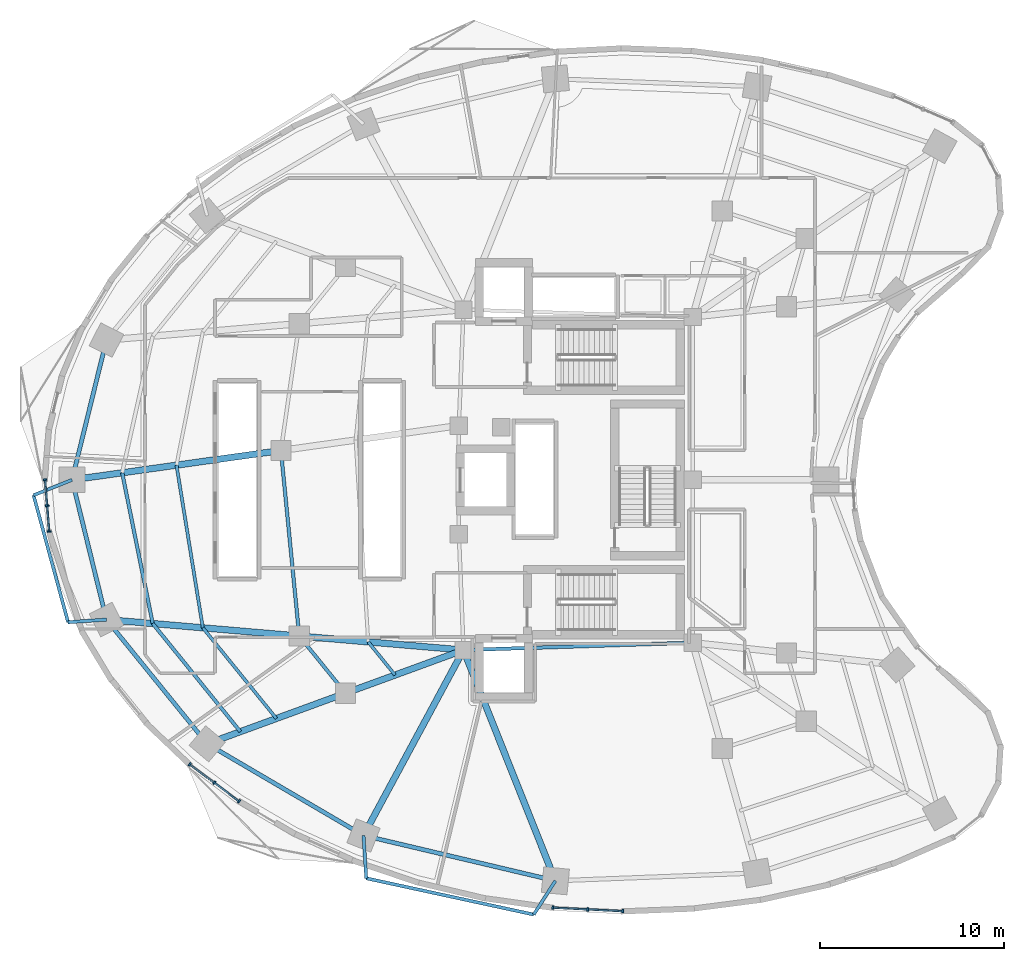
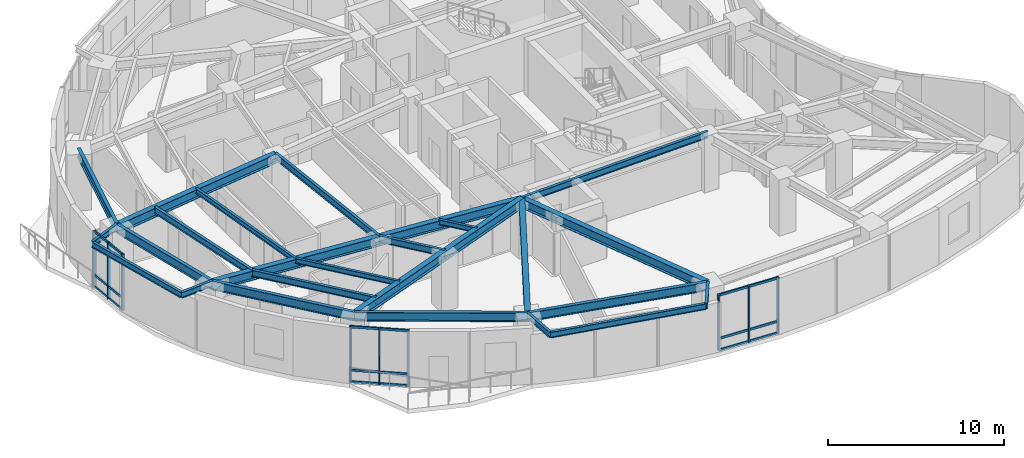
# One storey, part 2 of 15: 27 members, 26 beams, 3 elements without a shape of their own.
"""IFC4 building model written with IfcOpenShell, lengths in metres."""

from ifc_helpers import new_model, si_unit, direction, frame, origin, origin_2d, place, context, subcontext, project, spatial, rectangle, i_section, extrude, material, layer, layer_set, material_profile, profile_set, type_object, element, aggregate, save


model = new_model("IFC4")

# Units and contexts
model_context = context("Model", 3, precision=1e-05, world=origin(), true_north=direction((0.0, 1.0)))
body_context = subcontext(model_context, "Body", "Model", "MODEL_VIEW")
ifc_project = project(units=[si_unit("LENGTHUNIT", "METRE"), si_unit("AREAUNIT", "SQUARE_METRE"), si_unit("VOLUMEUNIT", "CUBIC_METRE"), si_unit("PLANEANGLEUNIT", "RADIAN"), si_unit("MASSUNIT", "GRAM", prefix="KILO")], contexts=[model_context])

# Site, building, storey
site_placement = place(None, origin())
site = spatial("IfcSite", under=ifc_project, at=site_placement, CompositionType="ELEMENT")
building_placement = place(site_placement, origin())
building = spatial("IfcBuilding", under=site, at=building_placement, Name="Korentha Bioscience Tower", CompositionType="ELEMENT")
storey_placement = place(building_placement, frame((0.0, 0.0, 34.199951171875)))
storey = spatial("IfcBuildingStorey", under=building, at=storey_placement, Name="L07", CompositionType="ELEMENT", Elevation=34.199951171875)

# Beams
ifc_material_1 = material(Name="Steel S355", Category="steel")
ifc_material_profile_1 = material_profile(ifc_material_1, i_section(OverallWidth=0.18994140625, OverallDepth=0.45703125, WebThickness=0.009033203125, FlangeThickness=0.014404296875, at=origin_2d()), Name="Steel S355")
ifc_profile_set_1 = profile_set([ifc_material_profile_1], Name="Steel S355 (MB-460)")
beam_type_1 = type_object("IfcBeamType", Name="Mid-Ring Tie Girder W460x74", PredefinedType="BEAM", material=ifc_profile_set_1)
beam_1_placement = place(storey_placement, frame((15.1787109375, 28.593505859375, 3.671630859375), z_axis=(0.098243909277, -0.995162365793, 0.0), x_axis=(0.995162365793, 0.098243909277, 0.0)))
element("IfcBeam", 1, at=beam_1_placement, inside=storey, type_object=beam_type_1, Name="L07 Mid-Ring Tie Girder 07", PredefinedType="BEAM", context=body_context, shape_type="SweptSolid", body=[
    extrude(i_section(OverallWidth=0.18994140625, OverallDepth=0.45703125, WebThickness=0.009033203125, FlangeThickness=0.014404296875, at=origin_2d()), origin(), (0.0, 0.0, 1.0), 10.131591796875),
])
beam_2_placement = place(storey_placement, frame((16.174072265625, 18.510986328125, 3.671630859375), z_axis=(0.629790009744, -0.776765436684, 0.0), x_axis=(0.776765436684, 0.629790009744, 0.0)))
element("IfcBeam", 2, at=beam_2_placement, inside=storey, type_object=beam_type_1, Name="L07 Mid-Ring Tie Girder 08", PredefinedType="BEAM", context=body_context, shape_type="SweptSolid", body=[
    extrude(i_section(OverallWidth=0.18994140625, OverallDepth=0.45703125, WebThickness=0.009033203125, FlangeThickness=0.014404296875, at=origin_2d()), origin(), (0.0, 0.0, 1.0), 3.998291015625),
])
beam_3_placement = place(storey_placement, frame((25.10009765625, 17.75, 3.671630859375), z_axis=(0.999484526071, 0.032104238723, 0.0), x_axis=(-0.032104238723, 0.999484526071, 0.0)))
element("IfcBeam", 3, at=beam_3_placement, inside=storey, type_object=beam_type_1, Name="L07 Core Ring Tie Girder 05", PredefinedType="BEAM", context=body_context, shape_type="SweptSolid", body=[
    extrude(i_section(OverallWidth=0.18994140625, OverallDepth=0.45703125, WebThickness=0.009033203125, FlangeThickness=0.014404296875, at=origin_2d()), origin(), (0.0, 0.0, 1.0), 12.456298828125),
])

# Curtain wall, members
ifc_material_2 = material(Name="Thermally Broken Aluminium Frame", Category="aluminium")
ifc_layer = layer(ifc_material_2, 0.219970703125, Name="Thermally Broken Aluminium Frame")
ifc_layer_set = layer_set([ifc_layer], Name="Thermally Broken Aluminium Frame (CW-T1)")
curtain_wall_type = type_object("IfcCurtainWallType", Name="Standard Bioscience Lab Unitised Curtain Wall CW-T1", PredefinedType="USERDEFINED", material=ifc_layer_set)
curtain_wall_1_placement = place(storey_placement, origin())
curtain_wall_1 = element("IfcCurtainWall", 4, at=curtain_wall_1_placement, inside=storey, type_object=curtain_wall_type, Name="L07 Curtain Wall 19", ObjectType="UNITISED", PredefinedType="USERDEFINED")
ifc_material_3 = material(Name="Anodised Aluminium 6063-T6", Category="aluminium")
ifc_material_profile_2 = material_profile(ifc_material_3, rectangle(XDim=0.090087890625, YDim=0.199951171875, at=origin_2d()), Name="Anodised Aluminium 6063-T6")
ifc_profile_set_2 = profile_set([ifc_material_profile_2], Name="Anodised Aluminium 6063-T6 (CW-MUL)")
member_type_1 = type_object("IfcMemberType", Name="Mullion RECT 90x200", PredefinedType="MULLION", material=ifc_profile_set_2)
member_1_placement = place(storey_placement, frame((2.35986328125, 27.0078125, 0.0), z_axis=(0.0, 0.0, 1.0), x_axis=(0.080820466375, -0.996728675325, 0.0)))
member_1 = element("IfcMember", 5, at=member_1_placement, type_object=member_type_1, Name="CW-L07-19 Mullion 1", PredefinedType="MULLION", context=body_context, shape_type="SweptSolid", body=[
    extrude(rectangle(XDim=0.090087890625, YDim=0.199951171875, at=origin_2d()), origin(), (0.0, 0.0, 1.0), 3.900146484375),
])
member_2_placement = place(storey_placement, frame((2.474365234375, 25.597412109375, 0.0), z_axis=(0.0, 0.0, 1.0), x_axis=(0.080820466375, -0.996728675325, 0.0)))
member_2 = element("IfcMember", 6, at=member_2_placement, type_object=member_type_1, Name="CW-L07-19 Mullion 2", PredefinedType="MULLION", context=body_context, shape_type="SweptSolid", body=[
    extrude(rectangle(XDim=0.090087890625, YDim=0.199951171875, at=origin_2d()), origin(), (0.0, 0.0, 1.0), 3.900146484375),
])
member_3_placement = place(storey_placement, frame((2.588623046875, 24.187255859375, 0.0), z_axis=(0.0, 0.0, 1.0), x_axis=(0.080820466375, -0.996728675325, 0.0)))
member_3 = element("IfcMember", 7, at=member_3_placement, type_object=member_type_1, Name="CW-L07-19 Mullion 3", PredefinedType="MULLION", context=body_context, shape_type="SweptSolid", body=[
    extrude(rectangle(XDim=0.090087890625, YDim=0.199951171875, at=origin_2d()), origin(), (0.0, 0.0, 1.0), 3.900146484375),
])

curtain_wall_2_placement = place(storey_placement, origin())
curtain_wall_2 = element("IfcCurtainWall", 8, at=curtain_wall_2_placement, inside=storey, type_object=curtain_wall_type, Name="L07 Curtain Wall 25", ObjectType="UNITISED", PredefinedType="USERDEFINED")
member_4_placement = place(storey_placement, frame((10.2216796875, 11.538818359375, 0.0), z_axis=(0.0, 0.0, 1.0), x_axis=(0.800797909614, -0.598934644145, 0.0)))
member_4 = element("IfcMember", 9, at=member_4_placement, type_object=member_type_1, Name="CW-L07-25 Mullion 1", PredefinedType="MULLION", context=body_context, shape_type="SweptSolid", body=[
    extrude(rectangle(XDim=0.090087890625, YDim=0.199951171875, at=origin_2d()), origin(), (0.0, 0.0, 1.0), 3.900146484375),
])
member_5_placement = place(storey_placement, frame((11.5634765625, 10.53515625, 0.0), z_axis=(0.0, 0.0, 1.0), x_axis=(0.800797909614, -0.598934644145, 0.0)))
member_5 = element("IfcMember", 10, at=member_5_placement, type_object=member_type_1, Name="CW-L07-25 Mullion 2", PredefinedType="MULLION", context=body_context, shape_type="SweptSolid", body=[
    extrude(rectangle(XDim=0.090087890625, YDim=0.199951171875, at=origin_2d()), origin(), (0.0, 0.0, 1.0), 3.900146484375),
])
member_6_placement = place(storey_placement, frame((12.9052734375, 9.53173828125, 0.0), z_axis=(0.0, 0.0, 1.0), x_axis=(0.800797909614, -0.598934644145, 0.0)))
member_6 = element("IfcMember", 11, at=member_6_placement, type_object=member_type_1, Name="CW-L07-25 Mullion 3", PredefinedType="MULLION", context=body_context, shape_type="SweptSolid", body=[
    extrude(rectangle(XDim=0.090087890625, YDim=0.199951171875, at=origin_2d()), origin(), (0.0, 0.0, 1.0), 3.900146484375),
])

curtain_wall_3_placement = place(storey_placement, origin())
curtain_wall_3 = element("IfcCurtainWall", 12, at=curtain_wall_3_placement, inside=storey, type_object=curtain_wall_type, Name="L07 Curtain Wall 31", ObjectType="UNITISED", PredefinedType="USERDEFINED")
member_7_placement = place(storey_placement, frame((29.9541015625, 3.75244140625, 0.0), z_axis=(0.0, 0.0, 1.0), x_axis=(0.998730551641, -0.050371472279, 0.0)))
member_7 = element("IfcMember", 13, at=member_7_placement, type_object=member_type_1, Name="CW-L07-31 Mullion 1", PredefinedType="MULLION", context=body_context, shape_type="SweptSolid", body=[
    extrude(rectangle(XDim=0.090087890625, YDim=0.199951171875, at=origin_2d()), origin(), (0.0, 0.0, 1.0), 3.900146484375),
])
member_8_placement = place(storey_placement, frame((31.855224609375, 3.656494140625, 0.0), z_axis=(0.0, 0.0, 1.0), x_axis=(0.998730551641, -0.050371472279, 0.0)))
member_8 = element("IfcMember", 14, at=member_8_placement, type_object=member_type_1, Name="CW-L07-31 Mullion 2", PredefinedType="MULLION", context=body_context, shape_type="SweptSolid", body=[
    extrude(rectangle(XDim=0.090087890625, YDim=0.199951171875, at=origin_2d()), origin(), (0.0, 0.0, 1.0), 3.900146484375),
])
member_9_placement = place(storey_placement, frame((33.75634765625, 3.560791015625, 0.0), z_axis=(0.0, 0.0, 1.0), x_axis=(0.998730551641, -0.050371472279, 0.0)))
member_9 = element("IfcMember", 15, at=member_9_placement, type_object=member_type_1, Name="CW-L07-31 Mullion 3", PredefinedType="MULLION", context=body_context, shape_type="SweptSolid", body=[
    extrude(rectangle(XDim=0.090087890625, YDim=0.199951171875, at=origin_2d()), origin(), (0.0, 0.0, 1.0), 3.900146484375),
])

# Beams
ifc_material_profile_3 = material_profile(ifc_material_1, i_section(OverallWidth=0.22802734375, OverallDepth=0.60791015625, WebThickness=0.01123046875, FlangeThickness=0.017333984375, at=origin_2d()), Name="Steel S355")
ifc_profile_set_3 = profile_set([ifc_material_profile_3], Name="Steel S355 (SB-610)")
beam_type_2 = type_object("IfcBeamType", Name="Perimeter Ring Spandrel Girder W610x113", PredefinedType="SPANDREL", material=ifc_profile_set_3)
beam_4_placement = place(storey_placement, frame((5.69580078125, 34.595703125, 3.595947265625), z_axis=(-0.239119105624, -0.970990243682, 0.0), x_axis=(0.970990243682, -0.239119105624, 0.0)))
element("IfcBeam", 16, at=beam_4_placement, inside=storey, type_object=beam_type_2, Name="L07 Perimeter Spandrel Girder 06", PredefinedType="SPANDREL", context=body_context, shape_type="SweptSolid", body=[
    extrude(i_section(OverallWidth=0.22802734375, OverallDepth=0.60791015625, WebThickness=0.01123046875, FlangeThickness=0.017333984375, at=origin_2d()), origin(), (0.0, 0.0, 1.0), 7.82177734375),
])
beam_5_placement = place(storey_placement, frame((3.825439453125, 27.000732421875, 3.595947265625), z_axis=(0.23907563132, -0.971000948768, 0.0), x_axis=(0.971000948768, 0.23907563132, 0.0)))
element("IfcBeam", 17, at=beam_5_placement, inside=storey, type_object=beam_type_2, Name="L07 Perimeter Spandrel Girder 07", PredefinedType="SPANDREL", context=body_context, shape_type="SweptSolid", body=[
    extrude(i_section(OverallWidth=0.22802734375, OverallDepth=0.60791015625, WebThickness=0.01123046875, FlangeThickness=0.017333984375, at=origin_2d()), origin(), (0.0, 0.0, 1.0), 7.8232421875),
])
beam_6_placement = place(storey_placement, frame((5.69580078125, 19.404296875, 3.595947265625), z_axis=(0.629799210231, -0.776757976974, 0.0), x_axis=(0.776757976974, 0.629799210231, 0.0)))
element("IfcBeam", 18, at=beam_6_placement, inside=storey, type_object=beam_type_2, Name="L07 Perimeter Spandrel Girder 08", PredefinedType="SPANDREL", context=body_context, shape_type="SweptSolid", body=[
    extrude(i_section(OverallWidth=0.22802734375, OverallDepth=0.60791015625, WebThickness=0.01123046875, FlangeThickness=0.017333984375, at=origin_2d()), origin(), (0.0, 0.0, 1.0), 8.69189453125),
])
beam_7_placement = place(storey_placement, frame((11.169921875, 12.65283203125, 3.595947265625), z_axis=(0.862656574181, -0.505790109653, 0.0), x_axis=(0.505790109653, 0.862656574181, 0.0)))
element("IfcBeam", 19, at=beam_7_placement, inside=storey, type_object=beam_type_2, Name="L07 Perimeter Spandrel Girder 09", PredefinedType="SPANDREL", context=body_context, shape_type="SweptSolid", body=[
    extrude(i_section(OverallWidth=0.22802734375, OverallDepth=0.60791015625, WebThickness=0.01123046875, FlangeThickness=0.017333984375, at=origin_2d()), origin(), (0.0, 0.0, 1.0), 9.849365234375),
])
beam_8_placement = place(storey_placement, frame((19.66650390625, 7.671142578125, 3.595947265625), z_axis=(0.973207885376, -0.229926970672, 0.0), x_axis=(0.229926970672, 0.973207885376, 0.0)))
element("IfcBeam", 20, at=beam_8_placement, inside=storey, type_object=beam_type_2, Name="L07 Perimeter Spandrel Girder 10", PredefinedType="SPANDREL", context=body_context, shape_type="SweptSolid", body=[
    extrude(i_section(OverallWidth=0.22802734375, OverallDepth=0.60791015625, WebThickness=0.01123046875, FlangeThickness=0.017333984375, at=origin_2d()), origin(), (0.0, 0.0, 1.0), 10.71484375),
])
ifc_material_profile_4 = material_profile(ifc_material_1, i_section(OverallWidth=0.18994140625, OverallDepth=0.45703125, WebThickness=0.009033203125, FlangeThickness=0.014404296875, at=origin_2d()), Name="Steel S355")
ifc_profile_set_4 = profile_set([ifc_material_profile_4], Name="Steel S355 (RB-460)")
beam_type_3 = type_object("IfcBeamType", Name="Radial Laboratory Beam W460x74", PredefinedType="BEAM", material=ifc_profile_set_4)
beam_9_placement = place(storey_placement, frame((6.55029296875, 27.383056640625, 3.671630859375), z_axis=(0.198592296955, -0.980082190222, 0.0), x_axis=(0.980082190222, 0.198592296955, 0.0)))
element("IfcBeam", 21, at=beam_9_placement, inside=storey, type_object=beam_type_3, Name="L07 Secondary Floor Beam JSTO-07", PredefinedType="BEAM", context=body_context, shape_type="SweptSolid", body=[
    extrude(i_section(OverallWidth=0.18994140625, OverallDepth=0.45703125, WebThickness=0.009033203125, FlangeThickness=0.014404296875, at=origin_2d()), origin(), (0.0, 0.0, 1.0), 8.359619140625),
])
beam_10_placement = place(storey_placement, frame((8.21044921875, 19.18994140625, 3.671630859375), z_axis=(0.629797748553, -0.776759162107, 0.0), x_axis=(0.776759162107, 0.629797748553, 0.0)))
element("IfcBeam", 22, at=beam_10_placement, inside=storey, type_object=beam_type_3, Name="L07 Secondary Floor Beam JSTO-08", PredefinedType="BEAM", context=body_context, shape_type="SweptSolid", body=[
    extrude(i_section(OverallWidth=0.18994140625, OverallDepth=0.45703125, WebThickness=0.009033203125, FlangeThickness=0.014404296875, at=origin_2d()), origin(), (0.0, 0.0, 1.0), 7.5654296875),
])
ifc_material_profile_5 = material_profile(ifc_material_1, i_section(OverallWidth=0.35009765625, OverallDepth=0.64990234375, WebThickness=0.01611328125, FlangeThickness=0.02490234375, at=origin_2d()), Name="Steel S355")
ifc_profile_set_5 = profile_set([ifc_material_profile_5], Name="Steel S355 (RB-650)")
beam_type_4 = type_object("IfcBeamType", Name="Radial Laboratory Girder CVS 650x208", PredefinedType="BEAM", material=ifc_profile_set_5)
beam_11_placement = place(storey_placement, frame((15.1787109375, 28.593505859375, 3.574951171875), z_axis=(-0.99030199745, -0.138931471762, 0.0), x_axis=(0.138931471762, -0.99030199745, 0.0)))
element("IfcBeam", 23, at=beam_11_placement, inside=storey, type_object=beam_type_4, Name="L07 Outer Radial Girder 07", PredefinedType="BEAM", context=body_context, shape_type="SweptSolid", body=[
    extrude(i_section(OverallWidth=0.35009765625, OverallDepth=0.64990234375, WebThickness=0.01611328125, FlangeThickness=0.02490234375, at=origin_2d()), origin(), (0.0, 0.0, 1.0), 11.46435546875),
])
beam_12_placement = place(storey_placement, frame((25.10009765625, 17.75, 3.574951171875), z_axis=(-0.996385503026, 0.08494662654, 0.0), x_axis=(-0.08494662654, -0.996385503026, 0.0)))
element("IfcBeam", 24, at=beam_12_placement, inside=storey, type_object=beam_type_4, Name="L07 Inner Radial Girder 08", PredefinedType="BEAM", context=body_context, shape_type="SweptSolid", body=[
    extrude(i_section(OverallWidth=0.35009765625, OverallDepth=0.64990234375, WebThickness=0.01611328125, FlangeThickness=0.02490234375, at=origin_2d()), origin(), (0.0, 0.0, 1.0), 8.95849609375),
])
beam_13_placement = place(storey_placement, frame((16.174072265625, 18.510986328125, 3.574951171875), z_axis=(-0.996385601055, 0.084945476695, 0.0), x_axis=(-0.084945476695, -0.996385601055, 0.0)))
element("IfcBeam", 25, at=beam_13_placement, inside=storey, type_object=beam_type_4, Name="L07 Outer Radial Girder 08", PredefinedType="BEAM", context=body_context, shape_type="SweptSolid", body=[
    extrude(i_section(OverallWidth=0.35009765625, OverallDepth=0.64990234375, WebThickness=0.01611328125, FlangeThickness=0.02490234375, at=origin_2d()), origin(), (0.0, 0.0, 1.0), 10.516357421875),
])
beam_14_placement = place(storey_placement, frame((25.10009765625, 17.75, 3.574951171875), z_axis=(-0.939106237741, -0.343626940498, 0.0), x_axis=(0.343626940498, -0.939106237741, 0.0)))
element("IfcBeam", 26, at=beam_14_placement, inside=storey, type_object=beam_type_4, Name="L07 Inner Radial Girder 09", PredefinedType="BEAM", context=body_context, shape_type="SweptSolid", body=[
    extrude(i_section(OverallWidth=0.35009765625, OverallDepth=0.64990234375, WebThickness=0.01611328125, FlangeThickness=0.02490234375, at=origin_2d()), origin(), (0.0, 0.0, 1.0), 6.823486328125),
])
beam_15_placement = place(storey_placement, frame((18.692138671875, 15.4052734375, 3.574951171875), z_axis=(-0.939106299948, -0.343626770491, 0.0), x_axis=(0.343626770491, -0.939106299948, 0.0)))
element("IfcBeam", 27, at=beam_15_placement, inside=storey, type_object=beam_type_4, Name="L07 Outer Radial Girder 09", PredefinedType="BEAM", context=body_context, shape_type="SweptSolid", body=[
    extrude(i_section(OverallWidth=0.35009765625, OverallDepth=0.64990234375, WebThickness=0.01611328125, FlangeThickness=0.02490234375, at=origin_2d()), origin(), (0.0, 0.0, 1.0), 8.010009765625),
])
beam_16_placement = place(storey_placement, frame((25.10009765625, 17.75, 3.574951171875), z_axis=(-0.47454097106, -0.880233416081, 0.0), x_axis=(0.880233416081, -0.47454097106, 0.0)))
element("IfcBeam", 28, at=beam_16_placement, inside=storey, type_object=beam_type_4, Name="L07 Radial Girder 10", PredefinedType="BEAM", context=body_context, shape_type="SweptSolid", body=[
    extrude(i_section(OverallWidth=0.35009765625, OverallDepth=0.64990234375, WebThickness=0.01611328125, FlangeThickness=0.02490234375, at=origin_2d()), origin(), (0.0, 0.0, 1.0), 11.4501953125),
])
beam_17_placement = place(storey_placement, frame((25.10009765625, 17.75, 3.574951171875), z_axis=(0.369931007413, -0.929059228335, 0.0), x_axis=(0.929059228335, 0.369931007413, 0.0)))
element("IfcBeam", 29, at=beam_17_placement, inside=storey, type_object=beam_type_4, Name="L07 Radial Girder 11", PredefinedType="BEAM", context=body_context, shape_type="SweptSolid", body=[
    extrude(i_section(OverallWidth=0.35009765625, OverallDepth=0.64990234375, WebThickness=0.01611328125, FlangeThickness=0.02490234375, at=origin_2d()), origin(), (0.0, 0.0, 1.0), 13.500244140625),
])
ifc_material_profile_6 = material_profile(ifc_material_1, i_section(OverallWidth=0.1708984375, OverallDepth=0.35498046875, WebThickness=0.007080078125, FlangeThickness=0.01171875, at=origin_2d()), Name="Steel S355")
ifc_profile_set_6 = profile_set([ifc_material_profile_6], Name="Steel S355 (JB-360)")
beam_type_5 = type_object("IfcBeamType", Name="Secondary Laboratory Joist W360x51", PredefinedType="JOIST", material=ifc_profile_set_6)
beam_18_placement = place(storey_placement, frame((9.502197265625, 27.797119140625, 3.72265625), z_axis=(0.159984999905, -0.987119445561, 0.0), x_axis=(0.987119445561, 0.159984999905, 0.0)))
element("IfcBeam", 30, at=beam_18_placement, inside=storey, type_object=beam_type_5, Name="L07 Secondary Floor Beam JST-07", PredefinedType="JOIST", context=body_context, shape_type="SweptSolid", body=[
    extrude(i_section(OverallWidth=0.1708984375, OverallDepth=0.35498046875, WebThickness=0.007080078125, FlangeThickness=0.01171875, at=origin_2d()), origin(), (0.0, 0.0, 1.0), 8.95458984375),
])
beam_19_placement = place(storey_placement, frame((10.934814453125, 18.957763671875, 3.72265625), z_axis=(0.629786899984, -0.776767958021, 0.0), x_axis=(0.776767958021, 0.629786899984, 0.0)))
element("IfcBeam", 31, at=beam_19_placement, inside=storey, type_object=beam_type_5, Name="L07 Secondary Floor Beam JST-08", PredefinedType="JOIST", context=body_context, shape_type="SweptSolid", body=[
    extrude(i_section(OverallWidth=0.1708984375, OverallDepth=0.35498046875, WebThickness=0.007080078125, FlangeThickness=0.01171875, at=origin_2d()), origin(), (0.0, 0.0, 1.0), 6.34521484375),
])
beam_20_placement = place(storey_placement, frame((19.9228515625, 18.19140625, 3.72265625), z_axis=(0.629791657613, -0.776764100613, 0.0), x_axis=(0.776764100613, 0.629791657613, 0.0)))
element("IfcBeam", 32, at=beam_20_placement, inside=storey, type_object=beam_type_5, Name="L07 Inner Bay Joist 08", PredefinedType="JOIST", context=body_context, shape_type="SweptSolid", body=[
    extrude(i_section(OverallWidth=0.1708984375, OverallDepth=0.35498046875, WebThickness=0.007080078125, FlangeThickness=0.01171875, at=origin_2d()), origin(), (0.0, 0.0, 1.0), 2.31884765625),
])
ifc_material_profile_7 = material_profile(ifc_material_1, i_section(OverallWidth=0.177978515625, OverallDepth=0.406982421875, WebThickness=0.0078125, FlangeThickness=0.0126953125, at=origin_2d()), Name="Steel S355")
ifc_profile_set_7 = profile_set([ifc_material_profile_7], Name="Steel S355 (CB-410)")
beam_type_6 = type_object("IfcBeamType", Name="Sun-Ledge Cantilever Beam W410x60", PredefinedType="BEAM", material=ifc_profile_set_7)
beam_21_placement = place(storey_placement, frame((3.825439453125, 27.000732421875, 3.698486328125), z_axis=(-0.928379434426, -0.37163372524, 0.0), x_axis=(0.37163372524, -0.928379434426, 0.0)))
element("IfcBeam", 33, at=beam_21_placement, inside=storey, type_object=beam_type_6, Name="L07 Balcony Cantilever Bracket A-L08-02", PredefinedType="BEAM", context=body_context, shape_type="SweptSolid", body=[
    extrude(i_section(OverallWidth=0.177978515625, OverallDepth=0.406982421875, WebThickness=0.0078125, FlangeThickness=0.0126953125, at=origin_2d()), origin(), (0.0, 0.0, 1.0), 2.251220703125),
])
beam_22_placement = place(storey_placement, frame((5.69580078125, 19.404296875, 3.698486328125), z_axis=(-0.997660928034, -0.068356950445, 0.0), x_axis=(0.068356950445, -0.997660928034, 0.0)))
element("IfcBeam", 34, at=beam_22_placement, inside=storey, type_object=beam_type_6, Name="L07 Balcony Cantilever Bracket B-L08-02", PredefinedType="BEAM", context=body_context, shape_type="SweptSolid", body=[
    extrude(i_section(OverallWidth=0.177978515625, OverallDepth=0.406982421875, WebThickness=0.0078125, FlangeThickness=0.0126953125, at=origin_2d()), origin(), (0.0, 0.0, 1.0), 2.08935546875),
])
beam_23_placement = place(storey_placement, frame((1.7353515625, 26.1640625, 3.698486328125), z_axis=(0.262265332065, -0.964995800818, 0.0), x_axis=(0.964995800818, 0.262265332065, 0.0)))
element("IfcBeam", 35, at=beam_23_placement, inside=storey, type_object=beam_type_6, Name="L07 Balcony Edge Trimmer Beam L08-02", PredefinedType="BEAM", context=body_context, shape_type="SweptSolid", body=[
    extrude(i_section(OverallWidth=0.177978515625, OverallDepth=0.406982421875, WebThickness=0.0078125, FlangeThickness=0.0126953125, at=origin_2d()), origin(), (0.0, 0.0, 1.0), 7.153076171875),
])
beam_24_placement = place(storey_placement, frame((19.66650390625, 7.671142578125, 3.698486328125), z_axis=(0.064092946504, -0.997943933399, 0.0), x_axis=(0.997943933399, 0.064092946504, 0.0)))
element("IfcBeam", 36, at=beam_24_placement, inside=storey, type_object=beam_type_6, Name="L07 Balcony Cantilever Bracket A-L08-03", PredefinedType="BEAM", context=body_context, shape_type="SweptSolid", body=[
    extrude(i_section(OverallWidth=0.177978515625, OverallDepth=0.406982421875, WebThickness=0.0078125, FlangeThickness=0.0126953125, at=origin_2d()), origin(), (0.0, 0.0, 1.0), 2.331298828125),
])
beam_25_placement = place(storey_placement, frame((30.09423828125, 5.20751953125, 3.698486328125), z_axis=(-0.539323950512, -0.842098376916, 0.0), x_axis=(0.842098376916, -0.539323950512, 0.0)))
element("IfcBeam", 37, at=beam_25_placement, inside=storey, type_object=beam_type_6, Name="L07 Balcony Cantilever Bracket B-L08-03", PredefinedType="BEAM", context=body_context, shape_type="SweptSolid", body=[
    extrude(i_section(OverallWidth=0.177978515625, OverallDepth=0.406982421875, WebThickness=0.0078125, FlangeThickness=0.0126953125, at=origin_2d()), origin(), (0.0, 0.0, 1.0), 2.1787109375),
])
beam_26_placement = place(storey_placement, frame((19.81591796875, 5.3447265625, 3.698486328125), z_axis=(0.977333174115, -0.211707030529, 0.0), x_axis=(0.211707030529, 0.977333174115, 0.0)))
element("IfcBeam", 38, at=beam_26_placement, inside=storey, type_object=beam_type_6, Name="L07 Balcony Edge Trimmer Beam L08-03", PredefinedType="BEAM", context=body_context, shape_type="SweptSolid", body=[
    extrude(i_section(OverallWidth=0.177978515625, OverallDepth=0.406982421875, WebThickness=0.0078125, FlangeThickness=0.0126953125, at=origin_2d()), origin(), (0.0, 0.0, 1.0), 9.314453125),
])

# Member
ifc_material_profile_8 = material_profile(ifc_material_3, rectangle(XDim=0.090087890625, YDim=0.159912109375, at=origin_2d()), Name="Anodised Aluminium 6063-T6")
ifc_profile_set_8 = profile_set([ifc_material_profile_8], Name="Anodised Aluminium 6063-T6 (CW-TRN)")
member_type_2 = type_object("IfcMemberType", Name="Transom RECT 90x160", PredefinedType="USERDEFINED", material=ifc_profile_set_8)
member_10_placement = place(storey_placement, frame((2.363525390625, 26.963134765625, 0.045166015625), z_axis=(0.080880177847, -0.996723831777, 0.0), x_axis=(0.996723831777, 0.080880177847, 0.0)))
member_10 = element("IfcMember", 39, at=member_10_placement, type_object=member_type_2, Name="CW-L07-19 Bay 1 Transom 1", ObjectType="TRANSOM", PredefinedType="USERDEFINED", context=body_context, shape_type="SweptSolid", body=[
    extrude(rectangle(XDim=0.090087890625, YDim=0.159912109375, at=origin_2d()), origin(), (0.0, 0.0, 1.0), 1.3251953125),
])

member_11_placement = place(storey_placement, frame((2.363525390625, 26.963134765625, 0.85009765625), z_axis=(0.080880177847, -0.996723831777, 0.0), x_axis=(0.996723831777, 0.080880177847, 0.0)))
member_11 = element("IfcMember", 40, at=member_11_placement, type_object=member_type_2, Name="CW-L07-19 Bay 1 Transom 2", ObjectType="TRANSOM", PredefinedType="USERDEFINED", context=body_context, shape_type="SweptSolid", body=[
    extrude(rectangle(XDim=0.090087890625, YDim=0.159912109375, at=origin_2d()), origin(), (0.0, 0.0, 1.0), 1.3251953125),
])

member_12_placement = place(storey_placement, frame((2.363525390625, 26.963134765625, 3.85498046875), z_axis=(0.080880177847, -0.996723831777, 0.0), x_axis=(0.996723831777, 0.080880177847, 0.0)))
member_12 = element("IfcMember", 41, at=member_12_placement, type_object=member_type_2, Name="CW-L07-19 Bay 1 Transom 3", ObjectType="TRANSOM", PredefinedType="USERDEFINED", context=body_context, shape_type="SweptSolid", body=[
    extrude(rectangle(XDim=0.090087890625, YDim=0.159912109375, at=origin_2d()), origin(), (0.0, 0.0, 1.0), 1.3251953125),
])

member_13_placement = place(storey_placement, frame((2.477783203125, 25.552734375, 0.045166015625), z_axis=(0.080880177847, -0.996723831777, 0.0), x_axis=(0.996723831777, 0.080880177847, 0.0)))
member_13 = element("IfcMember", 42, at=member_13_placement, type_object=member_type_2, Name="CW-L07-19 Bay 2 Transom 1", ObjectType="TRANSOM", PredefinedType="USERDEFINED", context=body_context, shape_type="SweptSolid", body=[
    extrude(rectangle(XDim=0.090087890625, YDim=0.159912109375, at=origin_2d()), origin(), (0.0, 0.0, 1.0), 1.3251953125),
])

member_14_placement = place(storey_placement, frame((2.477783203125, 25.552734375, 0.85009765625), z_axis=(0.080880177847, -0.996723831777, 0.0), x_axis=(0.996723831777, 0.080880177847, 0.0)))
member_14 = element("IfcMember", 43, at=member_14_placement, type_object=member_type_2, Name="CW-L07-19 Bay 2 Transom 2", ObjectType="TRANSOM", PredefinedType="USERDEFINED", context=body_context, shape_type="SweptSolid", body=[
    extrude(rectangle(XDim=0.090087890625, YDim=0.159912109375, at=origin_2d()), origin(), (0.0, 0.0, 1.0), 1.3251953125),
])

member_15_placement = place(storey_placement, frame((2.477783203125, 25.552734375, 3.85498046875), z_axis=(0.080880177847, -0.996723831777, 0.0), x_axis=(0.996723831777, 0.080880177847, 0.0)))
member_15 = element("IfcMember", 44, at=member_15_placement, type_object=member_type_2, Name="CW-L07-19 Bay 2 Transom 3", ObjectType="TRANSOM", PredefinedType="USERDEFINED", context=body_context, shape_type="SweptSolid", body=[
    extrude(rectangle(XDim=0.090087890625, YDim=0.159912109375, at=origin_2d()), origin(), (0.0, 0.0, 1.0), 1.3251953125),
])

aggregate(curtain_wall_1, [member_1, member_2, member_3, member_10, member_11, member_12, member_13, member_14, member_15])

member_16_placement = place(storey_placement, frame((10.2578125, 11.51171875, 0.045166015625), z_axis=(0.8008676283, -0.598841416354, 0.0), x_axis=(0.598841416354, 0.8008676283, 0.0)))
member_16 = element("IfcMember", 45, at=member_16_placement, type_object=member_type_2, Name="CW-L07-25 Bay 1 Transom 1", ObjectType="TRANSOM", PredefinedType="USERDEFINED", context=body_context, shape_type="SweptSolid", body=[
    extrude(rectangle(XDim=0.090087890625, YDim=0.159912109375, at=origin_2d()), origin(), (0.0, 0.0, 1.0), 1.58544921875),
])

member_17_placement = place(storey_placement, frame((10.2578125, 11.51171875, 0.85009765625), z_axis=(0.8008676283, -0.598841416354, 0.0), x_axis=(0.598841416354, 0.8008676283, 0.0)))
member_17 = element("IfcMember", 46, at=member_17_placement, type_object=member_type_2, Name="CW-L07-25 Bay 1 Transom 2", ObjectType="TRANSOM", PredefinedType="USERDEFINED", context=body_context, shape_type="SweptSolid", body=[
    extrude(rectangle(XDim=0.090087890625, YDim=0.159912109375, at=origin_2d()), origin(), (0.0, 0.0, 1.0), 1.58544921875),
])

member_18_placement = place(storey_placement, frame((10.2578125, 11.51171875, 3.85498046875), z_axis=(0.8008676283, -0.598841416354, 0.0), x_axis=(0.598841416354, 0.8008676283, 0.0)))
member_18 = element("IfcMember", 47, at=member_18_placement, type_object=member_type_2, Name="CW-L07-25 Bay 1 Transom 3", ObjectType="TRANSOM", PredefinedType="USERDEFINED", context=body_context, shape_type="SweptSolid", body=[
    extrude(rectangle(XDim=0.090087890625, YDim=0.159912109375, at=origin_2d()), origin(), (0.0, 0.0, 1.0), 1.58544921875),
])

member_19_placement = place(storey_placement, frame((11.599609375, 10.50830078125, 0.045166015625), z_axis=(0.800738536228, -0.59901402037, 0.0), x_axis=(0.59901402037, 0.800738536228, 0.0)))
member_19 = element("IfcMember", 48, at=member_19_placement, type_object=member_type_2, Name="CW-L07-25 Bay 2 Transom 1", ObjectType="TRANSOM", PredefinedType="USERDEFINED", context=body_context, shape_type="SweptSolid", body=[
    extrude(rectangle(XDim=0.090087890625, YDim=0.159912109375, at=origin_2d()), origin(), (0.0, 0.0, 1.0), 1.58544921875),
])

member_20_placement = place(storey_placement, frame((11.599609375, 10.50830078125, 0.85009765625), z_axis=(0.800738536228, -0.59901402037, 0.0), x_axis=(0.59901402037, 0.800738536228, 0.0)))
member_20 = element("IfcMember", 49, at=member_20_placement, type_object=member_type_2, Name="CW-L07-25 Bay 2 Transom 2", ObjectType="TRANSOM", PredefinedType="USERDEFINED", context=body_context, shape_type="SweptSolid", body=[
    extrude(rectangle(XDim=0.090087890625, YDim=0.159912109375, at=origin_2d()), origin(), (0.0, 0.0, 1.0), 1.58544921875),
])

member_21_placement = place(storey_placement, frame((11.599609375, 10.50830078125, 3.85498046875), z_axis=(0.800738536228, -0.59901402037, 0.0), x_axis=(0.59901402037, 0.800738536228, 0.0)))
member_21 = element("IfcMember", 50, at=member_21_placement, type_object=member_type_2, Name="CW-L07-25 Bay 2 Transom 3", ObjectType="TRANSOM", PredefinedType="USERDEFINED", context=body_context, shape_type="SweptSolid", body=[
    extrude(rectangle(XDim=0.090087890625, YDim=0.159912109375, at=origin_2d()), origin(), (0.0, 0.0, 1.0), 1.58544921875),
])

aggregate(curtain_wall_2, [member_4, member_5, member_6, member_16, member_17, member_18, member_19, member_20, member_21])

member_22_placement = place(storey_placement, frame((29.9990234375, 3.750244140625, 0.045166015625), z_axis=(0.998731776836, -0.050347174085, 0.0), x_axis=(0.050347174085, 0.998731776836, 0.0)))
member_22 = element("IfcMember", 51, at=member_22_placement, type_object=member_type_2, Name="CW-L07-31 Bay 1 Transom 1", ObjectType="TRANSOM", PredefinedType="USERDEFINED", context=body_context, shape_type="SweptSolid", body=[
    extrude(rectangle(XDim=0.090087890625, YDim=0.159912109375, at=origin_2d()), origin(), (0.0, 0.0, 1.0), 1.8134765625),
])

member_23_placement = place(storey_placement, frame((29.9990234375, 3.750244140625, 0.85009765625), z_axis=(0.998731776836, -0.050347174085, 0.0), x_axis=(0.050347174085, 0.998731776836, 0.0)))
member_23 = element("IfcMember", 52, at=member_23_placement, type_object=member_type_2, Name="CW-L07-31 Bay 1 Transom 2", ObjectType="TRANSOM", PredefinedType="USERDEFINED", context=body_context, shape_type="SweptSolid", body=[
    extrude(rectangle(XDim=0.090087890625, YDim=0.159912109375, at=origin_2d()), origin(), (0.0, 0.0, 1.0), 1.8134765625),
])

member_24_placement = place(storey_placement, frame((29.9990234375, 3.750244140625, 3.85498046875), z_axis=(0.998731776836, -0.050347174085, 0.0), x_axis=(0.050347174085, 0.998731776836, 0.0)))
member_24 = element("IfcMember", 53, at=member_24_placement, type_object=member_type_2, Name="CW-L07-31 Bay 1 Transom 3", ObjectType="TRANSOM", PredefinedType="USERDEFINED", context=body_context, shape_type="SweptSolid", body=[
    extrude(rectangle(XDim=0.090087890625, YDim=0.159912109375, at=origin_2d()), origin(), (0.0, 0.0, 1.0), 1.8134765625),
])

member_25_placement = place(storey_placement, frame((31.900146484375, 3.654296875, 0.045166015625), z_axis=(0.998731776836, -0.050347174085, 0.0), x_axis=(0.050347174085, 0.998731776836, 0.0)))
member_25 = element("IfcMember", 54, at=member_25_placement, type_object=member_type_2, Name="CW-L07-31 Bay 2 Transom 1", ObjectType="TRANSOM", PredefinedType="USERDEFINED", context=body_context, shape_type="SweptSolid", body=[
    extrude(rectangle(XDim=0.090087890625, YDim=0.159912109375, at=origin_2d()), origin(), (0.0, 0.0, 1.0), 1.8134765625),
])

member_26_placement = place(storey_placement, frame((31.900146484375, 3.654296875, 0.85009765625), z_axis=(0.998731776836, -0.050347174085, 0.0), x_axis=(0.050347174085, 0.998731776836, 0.0)))
member_26 = element("IfcMember", 55, at=member_26_placement, type_object=member_type_2, Name="CW-L07-31 Bay 2 Transom 2", ObjectType="TRANSOM", PredefinedType="USERDEFINED", context=body_context, shape_type="SweptSolid", body=[
    extrude(rectangle(XDim=0.090087890625, YDim=0.159912109375, at=origin_2d()), origin(), (0.0, 0.0, 1.0), 1.8134765625),
])

member_27_placement = place(storey_placement, frame((31.900146484375, 3.654296875, 3.85498046875), z_axis=(0.998731776836, -0.050347174085, 0.0), x_axis=(0.050347174085, 0.998731776836, 0.0)))
member_27 = element("IfcMember", 56, at=member_27_placement, type_object=member_type_2, Name="CW-L07-31 Bay 2 Transom 3", ObjectType="TRANSOM", PredefinedType="USERDEFINED", context=body_context, shape_type="SweptSolid", body=[
    extrude(rectangle(XDim=0.090087890625, YDim=0.159912109375, at=origin_2d()), origin(), (0.0, 0.0, 1.0), 1.8134765625),
])

aggregate(curtain_wall_3, [member_7, member_8, member_9, member_22, member_23, member_24, member_25, member_26, member_27])

save(model, "model.ifc")
